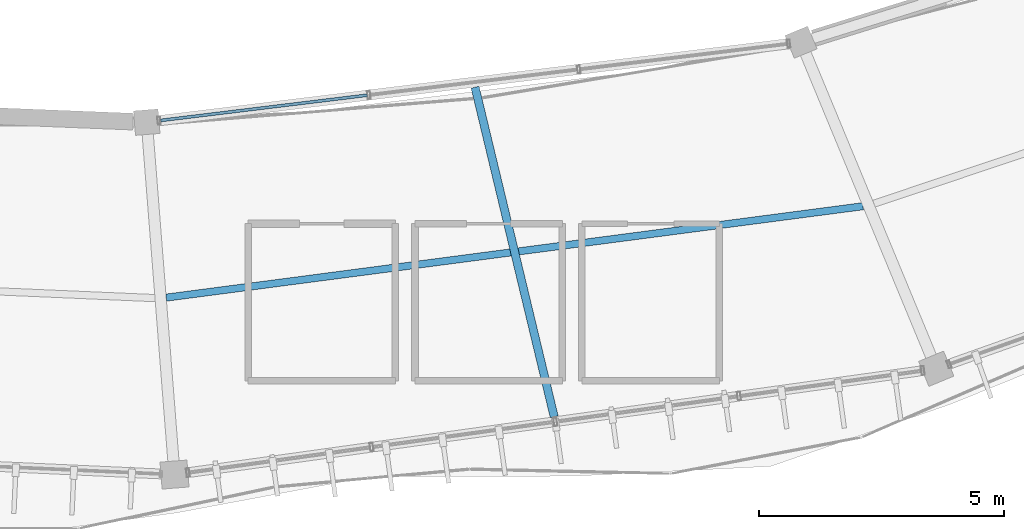
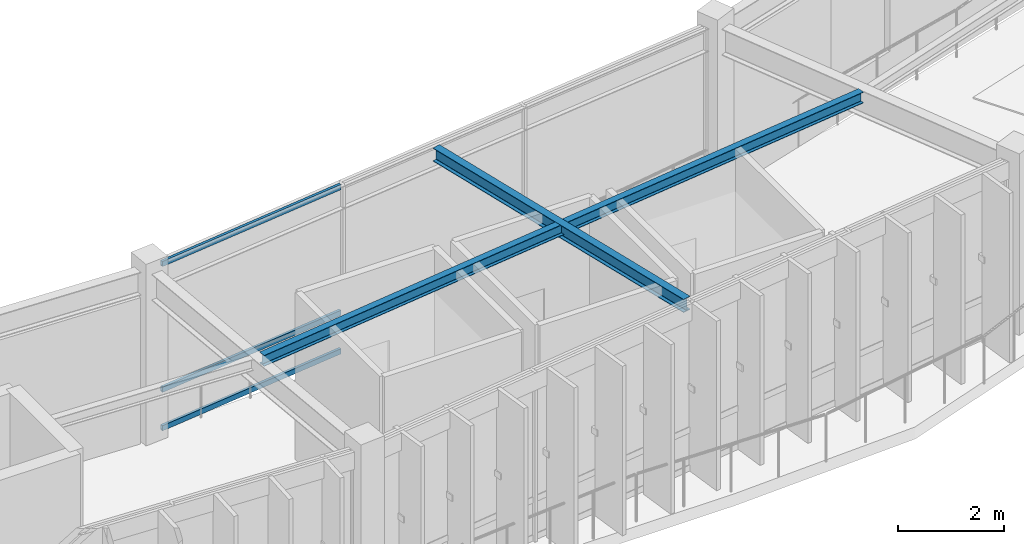
# One storey, part 20 of 79: 3 members, 2 beams, 1 element without a shape of its own.
"""IFC4 building model written with IfcOpenShell, lengths in metres."""

from ifc_helpers import new_model, si_unit, direction, frame, origin, origin_2d, place, context, subcontext, project, spatial, hollow_rectangle, i_section, extrude, material, material_profile, profile_set, type_object, element, aggregate, save


model = new_model("IFC4")

# Units and contexts
model_context = context("Model", 3, precision=1e-05, world=origin(), true_north=direction((0.0, 1.0)))
body_context = subcontext(model_context, "Body", "Model", "MODEL_VIEW")
ifc_project = project(units=[si_unit("LENGTHUNIT", "METRE"), si_unit("AREAUNIT", "SQUARE_METRE"), si_unit("VOLUMEUNIT", "CUBIC_METRE"), si_unit("PLANEANGLEUNIT", "RADIAN"), si_unit("MASSUNIT", "GRAM", prefix="KILO"), si_unit("THERMODYNAMICTEMPERATUREUNIT", "KELVIN"), si_unit("POWERUNIT", "WATT")], contexts=[model_context])

# Site, building, storey
site_placement = place(None, origin())
site = spatial("IfcSite", under=ifc_project, at=site_placement, CompositionType="ELEMENT")
building_placement = place(site_placement, origin())
building = spatial("IfcBuilding", under=site, at=building_placement, Name="Darbajah Civic Hall", CompositionType="ELEMENT")
storey_placement = place(building_placement, frame((0.0, 0.0, 22.199951171875)))
storey = spatial("IfcBuildingStorey", under=building, at=storey_placement, Name="L05", CompositionType="ELEMENT", Elevation=22.199951171875)

# Curtain wall, members
ifc_material_1 = material(Name="Anodised Bronze Aluminium and Low-E Glazing", Category="aluminium")
curtain_wall_type = type_object("IfcCurtainWallType", Name="Unitised Curtain Wall CW-73 12900x3900", PredefinedType="USERDEFINED", material=ifc_material_1)
curtain_wall_placement = place(storey_placement, origin())
curtain_wall = element("IfcCurtainWall", 1, at=curtain_wall_placement, inside=storey, type_object=curtain_wall_type, Name="L05 unitised curtain wall CW-V1I-L05-15", ObjectType="UNITISED CURTAIN WALL", PredefinedType="USERDEFINED")
ifc_material_2 = material(Name="Anodised Bronze Aluminium", Category="aluminium")
ifc_material_profile_1 = material_profile(ifc_material_2, hollow_rectangle(XDim=0.06005859375, YDim=0.1201171875, WallThickness=0.003173828125, at=origin_2d()), Name="ALU TRANSOM 60x120")
ifc_profile_set_1 = profile_set([ifc_material_profile_1], Name="Anodised Bronze Aluminium")
member_type = type_object("IfcMemberType", Name="ALU TRANSOM 60x120", PredefinedType="USERDEFINED", material=ifc_profile_set_1)
member_1_placement = place(storey_placement, frame((92.8212890625, 67.603515625, 0.06005859375), z_axis=(0.99260935384, 0.12135349467, 0.0), x_axis=(-0.12135349467, 0.99260935384, 0.0)))
member_1 = element("IfcMember", 2, at=member_1_placement, type_object=member_type, Name="CW-V1I-L05-15 transom 1.1", ObjectType="TRANSOM", PredefinedType="USERDEFINED", context=body_context, shape_type="SweptSolid", body=[
    extrude(hollow_rectangle(XDim=0.06005859375, YDim=0.1201171875, WallThickness=0.003173828125, at=origin_2d()), origin(), (0.0, 0.0, 1.0), 4.23681640625),
])
member_2_placement = place(storey_placement, frame((92.8212890625, 67.603515625, 0.949951171875), z_axis=(0.99260935384, 0.12135349467, 0.0), x_axis=(-0.12135349467, 0.99260935384, 0.0)))
member_2 = element("IfcMember", 3, at=member_2_placement, type_object=member_type, Name="CW-V1I-L05-15 transom 1.2", ObjectType="TRANSOM", PredefinedType="USERDEFINED", context=body_context, shape_type="SweptSolid", body=[
    extrude(hollow_rectangle(XDim=0.06005859375, YDim=0.1201171875, WallThickness=0.003173828125, at=origin_2d()), origin(), (0.0, 0.0, 1.0), 4.23681640625),
])
member_3_placement = place(storey_placement, frame((92.8212890625, 67.603515625, 3.860107421875), z_axis=(0.99260935384, 0.12135349467, 0.0), x_axis=(-0.12135349467, 0.99260935384, 0.0)))
member_3 = element("IfcMember", 4, at=member_3_placement, type_object=member_type, Name="CW-V1I-L05-15 transom 1.3", ObjectType="TRANSOM", PredefinedType="USERDEFINED", context=body_context, shape_type="SweptSolid", body=[
    extrude(hollow_rectangle(XDim=0.06005859375, YDim=0.1201171875, WallThickness=0.003173828125, at=origin_2d()), origin(), (0.0, 0.0, 1.0), 4.23681640625),
])
aggregate(curtain_wall, [member_1, member_2, member_3])

# Beams
ifc_material_3 = material(Name="Steel S355JR", Category="steel")
ifc_material_profile_2 = material_profile(ifc_material_3, i_section(OverallWidth=0.146484375, OverallDepth=0.256103515625, WebThickness=0.00634765625, FlangeThickness=0.010986328125, FilletRadius=0.007568359375, at=origin_2d()), Name="UB 254x146x37")
ifc_profile_set_2 = profile_set([ifc_material_profile_2], Name="Steel S355JR")
beam_type_1 = type_object("IfcBeamType", Name="UB 254x146x37", PredefinedType="JOIST", material=ifc_profile_set_2)
beam_1_placement = place(storey_placement, frame((92.93408203125, 63.994873046875, 3.7919921875), z_axis=(0.991504446027, 0.130072800801, 0.0), x_axis=(-0.130072800801, 0.991504446027, 0.0)))
element("IfcBeam", 5, at=beam_1_placement, inside=storey, type_object=beam_type_1, Name="L05 beam SJ-254", PredefinedType="JOIST", context=body_context, shape_type="SweptSolid", body=[
    extrude(i_section(OverallWidth=0.146484375, OverallDepth=0.256103515625, WebThickness=0.00634765625, FlangeThickness=0.010986328125, FilletRadius=0.007568359375, at=origin_2d()), origin(), (0.0, 0.0, 1.0), 14.311767578125),
])
ifc_material_profile_3 = material_profile(ifc_material_3, i_section(OverallWidth=0.165771484375, OverallDepth=0.306640625, WebThickness=0.006591796875, FlangeThickness=0.01171875, FilletRadius=0.0087890625, at=origin_2d()), Name="UB 305x165x46")
ifc_profile_set_3 = profile_set([ifc_material_profile_3], Name="Steel S355JR")
beam_type_2 = type_object("IfcBeamType", Name="UB 305x165x46", PredefinedType="JOIST", material=ifc_profile_set_3)
beam_2_placement = place(storey_placement, frame((99.2236328125, 68.280029296875, 3.766845703125), z_axis=(0.233446518106, -0.972369643286, 0.0), x_axis=(0.972369643286, 0.233446518106, 0.0)))
element("IfcBeam", 6, at=beam_2_placement, inside=storey, type_object=beam_type_2, Name="L05 beam SJ-305", PredefinedType="JOIST", context=body_context, shape_type="SweptSolid", body=[
    extrude(i_section(OverallWidth=0.165771484375, OverallDepth=0.306640625, WebThickness=0.006591796875, FlangeThickness=0.01171875, FilletRadius=0.0087890625, at=origin_2d()), origin(), (0.0, 0.0, 1.0), 6.9033203125),
])

save(model, "model.ifc")
